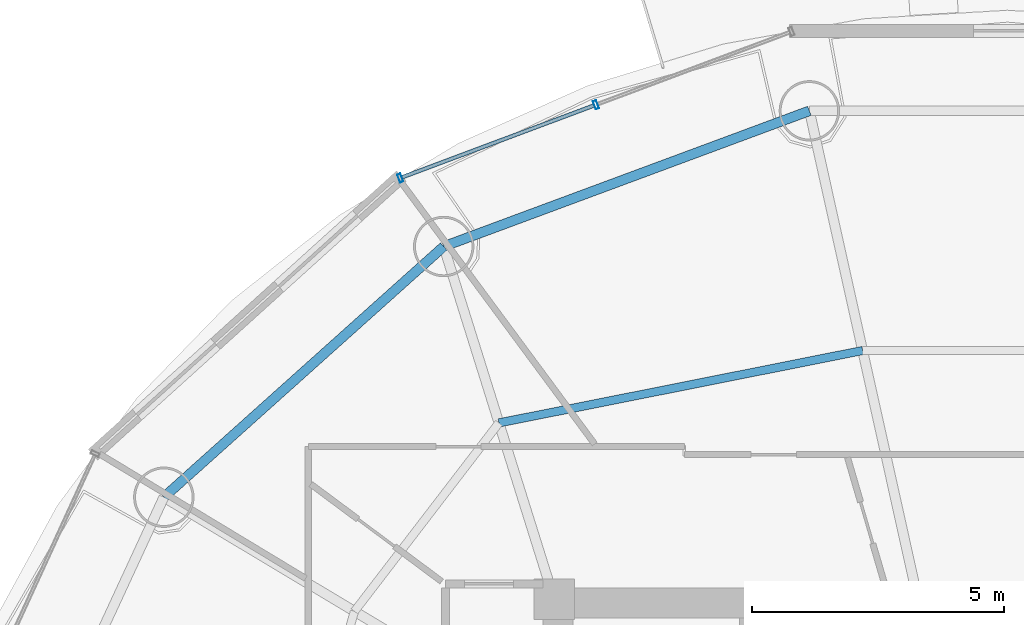
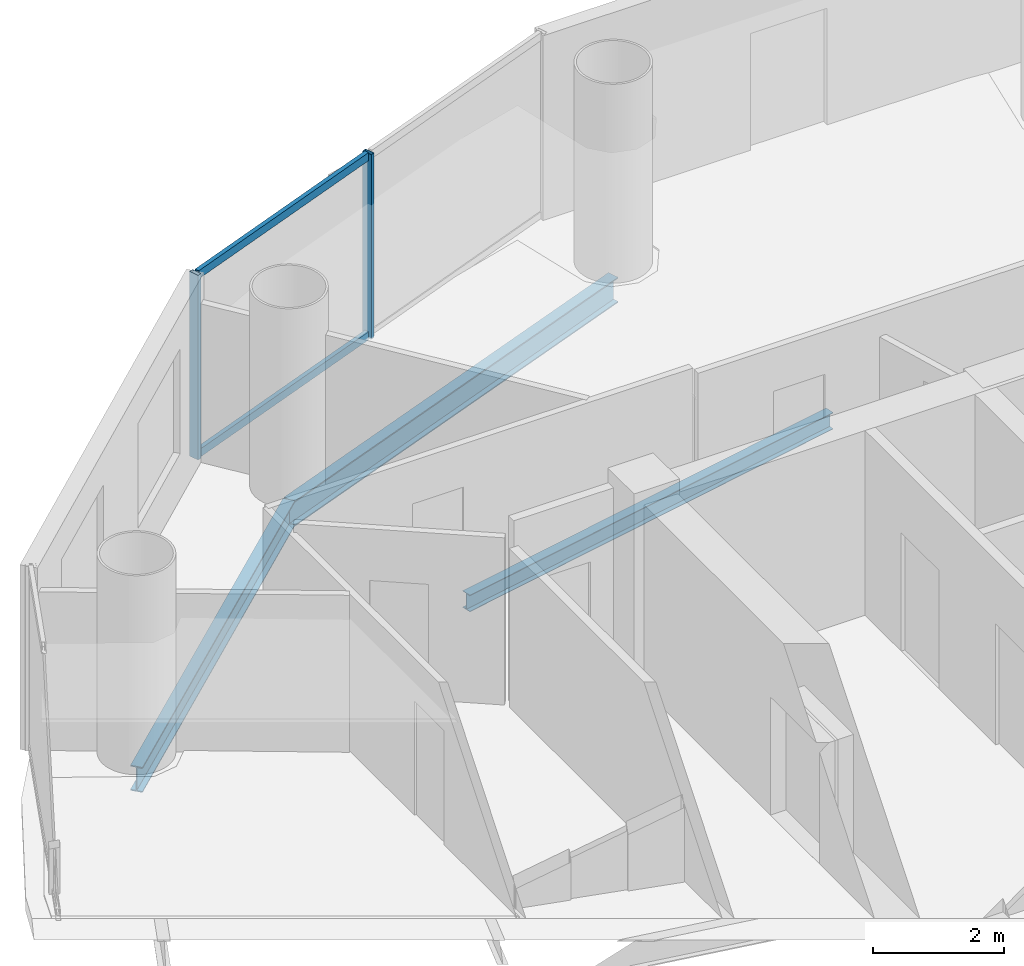
# One storey, part 15 of 26: 4 members, 3 beams, 1 element without a shape of its own.
"""IFC4 building model written with IfcOpenShell, lengths in metres."""

from ifc_helpers import new_model, si_unit, direction, frame, origin, origin_2d, place, context, subcontext, project, spatial, hollow_rectangle, i_section, extrude, source, transform, mapped, material, material_profile, profile_set, type_object, element, aggregate, save


model = new_model("IFC4")

# Units and contexts
model_context = context("Model", 3, precision=1e-05, world=origin(), true_north=direction((-0.2419218956, 0.970295726276)))
body_context = subcontext(model_context, "Body", "Model", "MODEL_VIEW")
ifc_project = project(units=[si_unit("LENGTHUNIT", "METRE"), si_unit("AREAUNIT", "SQUARE_METRE"), si_unit("VOLUMEUNIT", "CUBIC_METRE"), si_unit("PLANEANGLEUNIT", "RADIAN"), si_unit("MASSUNIT", "GRAM", prefix="KILO")], contexts=[model_context])

# Site, building, storey
site_placement = place(None, origin())
site = spatial("IfcSite", under=ifc_project, at=site_placement, CompositionType="ELEMENT")
building_placement = place(site_placement, origin())
building = spatial("IfcBuilding", under=site, at=building_placement, Name="Cobrevalo Terracotta Tower", CompositionType="ELEMENT")
storey_placement = place(building_placement, frame((0.0, 0.0, 228.199951171875)))
storey = spatial("IfcBuildingStorey", under=building, at=storey_placement, Name="L60", CompositionType="ELEMENT", Elevation=228.199951171875)

# Beams
ifc_material_1 = material(Name="Steel S355", Category="steel")
ifc_material_profile_1 = material_profile(ifc_material_1, i_section(OverallWidth=0.1650390625, OverallDepth=0.31005859375, WebThickness=0.005859375, FlangeThickness=0.009765625, at=origin_2d()), Name="W 310x38.7")
ifc_profile_set_1 = profile_set([ifc_material_profile_1], Name="Steel S355")
beam_type_1 = type_object("IfcBeamType", Name="Structural Joist W 310x38.7 (Steel S355)", PredefinedType="JOIST", material=ifc_profile_set_1)
beam_1_placement = place(storey_placement, frame((35.126220703125, 39.74169921875, -0.419921875), z_axis=(-0.980762562197, -0.195204499418, 0.0), x_axis=(0.195204499418, -0.980762562197, 0.0)))
element("IfcBeam", 1, at=beam_1_placement, inside=storey, type_object=beam_type_1, Name="L60 circumferential secondary floor joist 05", PredefinedType="JOIST", context=body_context, shape_type="SweptSolid", body=[
    extrude(i_section(OverallWidth=0.1650390625, OverallDepth=0.31005859375, WebThickness=0.005859375, FlangeThickness=0.009765625, at=origin_2d()), origin(), (0.0, 0.0, 1.0), 7.365234375),
])
ifc_material_profile_2 = material_profile(ifc_material_1, i_section(OverallWidth=0.194091796875, OverallDepth=0.468994140625, WebThickness=0.011474609375, FlangeThickness=0.0205078125, at=origin_2d()), Name="W 460x106")
ifc_profile_set_2 = profile_set([ifc_material_profile_2], Name="Steel S355")
beam_type_2 = type_object("IfcBeamType", Name="Structural Spandrel W 460x106 (Steel S355)", PredefinedType="SPANDREL", material=ifc_profile_set_2)
beam_2_placement = place(storey_placement, frame((34.06884765625, 44.503173828125, -0.49951171875), z_axis=(-0.937545996665, -0.347861328892, 0.0), x_axis=(0.347861328892, -0.937545996665, 0.0)))
element("IfcBeam", 2, at=beam_2_placement, inside=storey, type_object=beam_type_2, Name="L60 perimeter ring spandrel 05", PredefinedType="SPANDREL", context=body_context, shape_type="SweptSolid", body=[
    extrude(i_section(OverallWidth=0.194091796875, OverallDepth=0.468994140625, WebThickness=0.011474609375, FlangeThickness=0.0205078125, at=origin_2d()), origin(), (0.0, 0.0, 1.0), 7.74755859375),
])
beam_3_placement = place(storey_placement, frame((26.80517578125, 41.80810546875, -0.49951171875), z_axis=(-0.744851930997, -0.667229796165, 0.0), x_axis=(0.667229796165, -0.744851930997, 0.0)))
element("IfcBeam", 3, at=beam_3_placement, inside=storey, type_object=beam_type_2, Name="L60 perimeter ring spandrel 06", PredefinedType="SPANDREL", context=body_context, shape_type="SweptSolid", body=[
    extrude(i_section(OverallWidth=0.194091796875, OverallDepth=0.468994140625, WebThickness=0.011474609375, FlangeThickness=0.0205078125, at=origin_2d()), origin(), (0.0, 0.0, 1.0), 7.463623046875),
])

# Curtain wall, members
ifc_material_2 = material(Name="Anodized aluminium", Category="aluminium")
curtain_wall_type = type_object("IfcCurtainWallType", Name="Mid-tower high-wind unitised curtain wall CW-U2", PredefinedType="NOTDEFINED", material=ifc_material_2)
curtain_wall_placement = place(storey_placement, origin())
curtain_wall = element("IfcCurtainWall", 4, at=curtain_wall_placement, inside=storey, type_object=curtain_wall_type, Name="L60 curtain wall CW-L60-S05", PredefinedType="NOTDEFINED")
ifc_material_profile_3 = material_profile(ifc_material_2, hollow_rectangle(XDim=0.074951171875, YDim=0.14990234375, WallThickness=0.00439453125, at=origin_2d()), Name="CWT 75x150")
ifc_profile_set_3 = profile_set([ifc_material_profile_3], Name="Anodized aluminium")
member_type_1 = type_object("IfcMemberType", Name="Tower unitised aluminium transom 75x150", PredefinedType="USERDEFINED", material=ifc_profile_set_3)
shared_shape_1 = source(origin(), body_context, "Body", "SweptSolid", [
    extrude(hollow_rectangle(XDim=0.074951171875, YDim=0.14990234375, WallThickness=0.00439453125, at=origin_2d()), origin(), (0.0, 0.0, 1.0), 4.069580078125),
])
member_1_placement = place(storey_placement, frame((29.79150390625, 44.609619140625, 0.050048828125), z_axis=(-0.936548420649, -0.350538237259, 0.0), x_axis=(0.350538237259, -0.936548420649, 0.0)))
member_1 = element("IfcMember", 5, at=member_1_placement, type_object=member_type_1, Name="CW-L60-S05 transom B02-T1", ObjectType="TRANSOM", PredefinedType="USERDEFINED", context=body_context, shape_type="MappedRepresentation", body=[
    mapped(shared_shape_1, transform((0.0, 0.0, 0.0), scale=1.0)),
])
member_2_placement = place(storey_placement, frame((29.79150390625, 44.609619140625, 3.385009765625), z_axis=(-0.936548420649, -0.350538237259, 0.0), x_axis=(0.350538237259, -0.936548420649, 0.0)))
member_2 = element("IfcMember", 6, at=member_2_placement, type_object=member_type_1, Name="CW-L60-S05 transom B02-T2", ObjectType="TRANSOM", PredefinedType="USERDEFINED", context=body_context, shape_type="MappedRepresentation", body=[
    mapped(shared_shape_1, transform((0.0, 0.0, 0.0), scale=1.0)),
])
ifc_material_profile_4 = material_profile(ifc_material_2, hollow_rectangle(XDim=0.070068359375, YDim=0.169921875, WallThickness=0.00439453125, at=origin_2d()), Name="CWM 70x170")
ifc_profile_set_4 = profile_set([ifc_material_profile_4], Name="Anodized aluminium")
member_type_2 = type_object("IfcMemberType", Name="Upper tower unitised mullion 70x170", PredefinedType="MULLION", material=ifc_profile_set_4)
shared_shape_2 = source(origin(), body_context, "Body", "SweptSolid", [
    extrude(hollow_rectangle(XDim=0.070068359375, YDim=0.169921875, WallThickness=0.00439453125, at=origin_2d()), origin(), (0.0, 0.0, 1.0), 3.43505859375),
])
member_3_placement = place(storey_placement, frame((29.8291015625, 44.62353515625, 0.0), z_axis=(0.0, 0.0, 1.0), x_axis=(-0.936556004584, -0.350517974259, 0.0)))
member_3 = element("IfcMember", 7, at=member_3_placement, type_object=member_type_2, Name="CW-L60-S05 vertical mullion 02", PredefinedType="MULLION", context=body_context, shape_type="MappedRepresentation", body=[
    mapped(shared_shape_2, transform((0.0, 0.0, 0.0), scale=1.0)),
])
member_4_placement = place(storey_placement, frame((25.942626953125, 43.1689453125, 0.0), z_axis=(0.0, 0.0, 1.0), x_axis=(-0.936556004584, -0.350517974259, 0.0)))
member_4 = element("IfcMember", 8, at=member_4_placement, type_object=member_type_2, Name="CW-L60-S05 vertical mullion 03", PredefinedType="MULLION", context=body_context, shape_type="MappedRepresentation", body=[
    mapped(shared_shape_2, transform((0.0, 0.0, 0.0), scale=1.0)),
])
aggregate(curtain_wall, [member_3, member_4, member_1, member_2])

save(model, "model.ifc")
